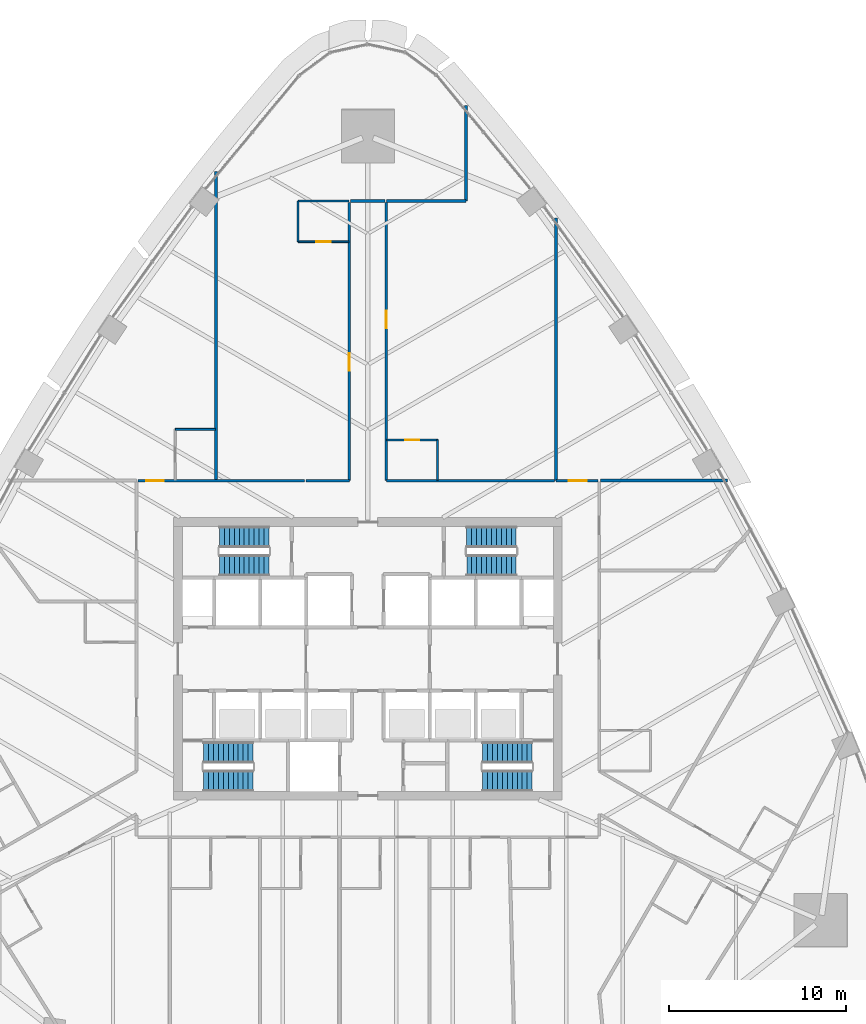
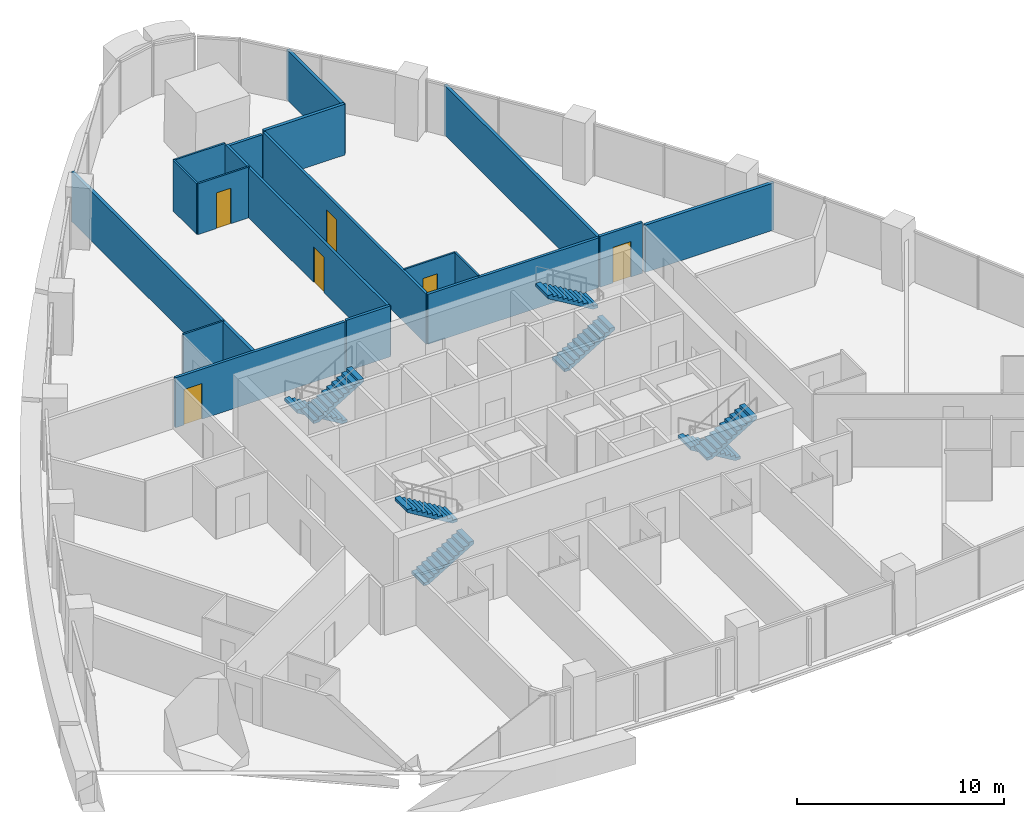
# One storey, part 13 of 17: 18 walls, 8 stair flights, 6 doors, 6 openings, 4 elements without a shape of their own.
"""IFC4 building model written with IfcOpenShell, lengths in metres."""

from ifc_helpers import new_model, si_unit, direction, frame, frame_2d, origin, place, context, subcontext, project, spatial, polyline, rectangle, outline, extrude, material, layer, layer_set, type_object, element, fill, aggregate, save


model = new_model("IFC4")

# Units and contexts
model_context = context("Model", 3, precision=1e-05, world=origin(), true_north=direction((0.0, 1.0)))
body_context = subcontext(model_context, "Body", "Model", "MODEL_VIEW")
ifc_project = project(units=[si_unit("LENGTHUNIT", "METRE"), si_unit("AREAUNIT", "SQUARE_METRE"), si_unit("VOLUMEUNIT", "CUBIC_METRE"), si_unit("PLANEANGLEUNIT", "RADIAN"), si_unit("MASSUNIT", "GRAM", prefix="KILO")], contexts=[model_context])

# Site, building, storey
site_placement = place(None, origin())
site = spatial("IfcSite", under=ifc_project, at=site_placement, CompositionType="ELEMENT")
building_placement = place(site_placement, origin())
building = spatial("IfcBuilding", under=site, at=building_placement, Name="Sierra Prisma Convention Tower", CompositionType="ELEMENT")
storey_placement = place(building_placement, frame((0.0, 0.0, 99.800048828125)))
storey = spatial("IfcBuildingStorey", under=building, at=storey_placement, Name="L21", CompositionType="ELEMENT", Elevation=99.800048828125)

# Wall
ifc_material_1 = material(Name="Gypsum board partition", Category="gypsum")
ifc_layer_1 = layer(ifc_material_1, 0.10009765625)
ifc_layer_set_1 = layer_set([ifc_layer_1], Name="Bathroom partition 100")
wall_type_1 = type_object("IfcWallType", Name="Bathroom partition 100", PredefinedType="PARTITIONING", material=ifc_layer_set_1)
wall_1_placement = place(storey_placement, frame((-10.89990234375, 13.0, 0.0), z_axis=(0.0, 0.0, 1.0), x_axis=(1.0, 0.0, 0.0)))
element("IfcWall", 1, at=wall_1_placement, inside=storey, type_object=wall_type_1, Name="Partition L21 bath 10", PredefinedType="PARTITIONING", context=body_context, shape_type="SweptSolid", body=[
    extrude(rectangle(XDim=2.27001953125, YDim=0.10009765625, at=frame_2d((1.135009765625, 0.0))), origin(), (0.0, 0.0, 1.0), 3.0),
])

# Wall, opening, door
wall_2_placement = place(storey_placement, frame((-1.080078125, 23.62890625, 0.0), z_axis=(0.0, 0.0, 1.0), x_axis=(-1.0, 0.0, 0.0)))
wall_2 = element("IfcWall", 2, at=wall_2_placement, inside=storey, type_object=wall_type_1, Name="Partition L21 bath 15", PredefinedType="PARTITIONING", context=body_context, shape_type="SweptSolid", body=[
    extrude(rectangle(XDim=2.869873046875, YDim=0.10009765625, at=frame_2d((1.43505859375, 0.0))), origin(), (0.0, 0.0, 1.0), 3.0),
])
opening_1_placement = place(wall_2_placement, frame((1.034912109375, 0.0, 0.0)))
opening_1 = element("IfcOpeningElement", 3, at=opening_1_placement, cuts=wall_2, Name="Opening L21-D002", PredefinedType="OPENING", context=body_context, shape_type="SweptSolid", body=[
    extrude(rectangle(XDim=0.800048828125, YDim=2.10009765625, at=frame_2d((0.39990234375, 1.050048828125))), frame((0.0, 0.050048828125, 0.0), z_axis=(0.0, -1.0, 0.0), x_axis=(1.0, 0.0, 0.0)), (0.0, 0.0, 1.0), 0.10009765625),
])
ifc_material_2 = material(Name="Solid core timber door leaf", Category="wood")
door_type_1 = type_object("IfcDoorType", Name="Door 800x2100 plain", OperationType="SINGLE_SWING_LEFT", PredefinedType="DOOR", material=ifc_material_2)
door_1_placement = place(opening_1_placement, origin())
door_1 = element("IfcDoor", 4, at=door_1_placement, inside=storey, type_object=door_type_1, Name="Door L21 6", OperationType="SINGLE_SWING_RIGHT", OverallHeight=2.10009765625, OverallWidth=0.800048828125, PredefinedType="DOOR", context=body_context, shape_type="SweptSolid", body=[
    extrude(rectangle(XDim=0.800048828125, YDim=2.10009765625, at=frame_2d((0.39990234375, 1.050048828125))), frame((0.0, 0.02490234375, 0.0), z_axis=(0.0, -1.0, 0.0), x_axis=(1.0, 0.0, 0.0)), (0.0, 0.0, 1.0), 0.050048828125),
])
fill(opening_1, door_1)

# Walls
wall_3_placement = place(storey_placement, frame((-3.949951171875, 23.62890625, 0.0), z_axis=(0.0, 0.0, 1.0), x_axis=(0.0, 1.0, 0.0)))
element("IfcWall", 5, at=wall_3_placement, inside=storey, type_object=wall_type_1, Name="Partition L21 bath 16", PredefinedType="PARTITIONING", context=body_context, shape_type="SweptSolid", body=[
    extrude(rectangle(XDim=2.2998046875, YDim=0.10009765625, at=frame_2d((1.14990234375, 0.0))), origin(), (0.0, 0.0, 1.0), 3.0),
])
wall_4_placement = place(storey_placement, frame((-3.949951171875, 25.9287109375, 0.0), z_axis=(0.0, 0.0, 1.0), x_axis=(1.0, 0.0, 0.0)))
element("IfcWall", 6, at=wall_4_placement, inside=storey, type_object=wall_type_1, Name="Partition L21 bath 17", PredefinedType="PARTITIONING", context=body_context, shape_type="SweptSolid", body=[
    extrude(rectangle(XDim=2.869873046875, YDim=0.10009765625, at=frame_2d((1.43505859375, 0.0))), origin(), (0.0, 0.0, 1.0), 3.0),
])

# Wall, opening, door
wall_5_placement = place(storey_placement, frame((1.080078125, 12.39990234375, 0.0), z_axis=(0.0, 0.0, 1.0), x_axis=(1.0, 0.0, 0.0)))
wall_5 = element("IfcWall", 7, at=wall_5_placement, inside=storey, type_object=wall_type_1, Name="Partition L21 bath 18", PredefinedType="PARTITIONING", context=body_context, shape_type="SweptSolid", body=[
    extrude(rectangle(XDim=2.869873046875, YDim=0.10009765625, at=frame_2d((1.43505859375, 0.0))), origin(), (0.0, 0.0, 1.0), 3.0),
])
opening_2_placement = place(wall_5_placement, frame((1.034912109375, 0.0, 0.0)))
opening_2 = element("IfcOpeningElement", 8, at=opening_2_placement, cuts=wall_5, Name="Opening L21-D001", PredefinedType="OPENING", context=body_context, shape_type="SweptSolid", body=[
    extrude(rectangle(XDim=0.800048828125, YDim=2.10009765625, at=frame_2d((0.39990234375, 1.050048828125))), frame((0.0, 0.050048828125, 0.0), z_axis=(0.0, -1.0, 0.0), x_axis=(1.0, 0.0, 0.0)), (0.0, 0.0, 1.0), 0.10009765625),
])
door_2_placement = place(opening_2_placement, origin())
door_2 = element("IfcDoor", 9, at=door_2_placement, inside=storey, type_object=door_type_1, Name="Door L21 4", OperationType="SINGLE_SWING_LEFT", OverallHeight=2.10009765625, OverallWidth=0.800048828125, PredefinedType="DOOR", context=body_context, shape_type="SweptSolid", body=[
    extrude(rectangle(XDim=0.800048828125, YDim=2.10009765625, at=frame_2d((0.39990234375, 1.050048828125))), frame((0.0, 0.02490234375, 0.0), z_axis=(0.0, -1.0, 0.0), x_axis=(1.0, 0.0, 0.0)), (0.0, 0.0, 1.0), 0.050048828125),
])
fill(opening_2, door_2)

# Wall
wall_6_placement = place(storey_placement, frame((3.949951171875, 12.39990234375, 0.0), z_axis=(0.0, 0.0, 1.0), x_axis=(0.0, -1.0, 0.0)))
element("IfcWall", 10, at=wall_6_placement, inside=storey, type_object=wall_type_1, Name="Partition L21 bath 19", PredefinedType="PARTITIONING", context=body_context, shape_type="SweptSolid", body=[
    extrude(rectangle(XDim=2.27001953125, YDim=0.10009765625, at=frame_2d((1.135009765625, 0.0))), origin(), (0.0, 0.0, 1.0), 3.0),
])

# Wall, opening, door
ifc_material_3 = material(Name="Gypsum board partition", Category="gypsum")
ifc_layer_2 = layer(ifc_material_3, 0.14990234375)
ifc_layer_set_2 = layer_set([ifc_layer_2], Name="Corridor wall 150 gypsum EI 60")
wall_type_2 = type_object("IfcWallType", Name="Corridor wall 150 gypsum EI 60", PredefinedType="PARTITIONING", material=ifc_layer_set_2)
wall_7_placement = place(storey_placement, frame((-3.580078125, 10.10009765625, 0.0), z_axis=(0.0, 0.0, 1.0), x_axis=(-1.0, 0.0, 0.0)))
wall_7 = element("IfcWall", 11, at=wall_7_placement, inside=storey, type_object=wall_type_2, Name="Partition L21 corr 7", PredefinedType="PARTITIONING", context=body_context, shape_type="SweptSolid", body=[
    extrude(rectangle(XDim=9.43994140625, YDim=0.14990234375, at=frame_2d((4.719970703125, 0.0))), origin(), (0.0, 0.0, 1.0), 2.947021484375),
])
opening_3_placement = place(wall_7_placement, frame((7.97998046875, 0.0, 0.0)))
opening_3 = element("IfcOpeningElement", 12, at=opening_3_placement, cuts=wall_7, Name="Opening L21-D042", PredefinedType="OPENING", context=body_context, shape_type="SweptSolid", body=[
    extrude(rectangle(XDim=1.0, YDim=2.10009765625, at=frame_2d((0.5, 1.050048828125))), frame((0.0, 0.074951171875, 0.0), z_axis=(0.0, -1.0, 0.0), x_axis=(1.0, 0.0, 0.0)), (0.0, 0.0, 1.0), 0.14990234375),
])
ifc_material_4 = material(Name="Steel fire door leaf", Category="steel")
door_type_2 = type_object("IfcDoorType", Name="Door 1000x2100 FD30S", OperationType="SINGLE_SWING_LEFT", PredefinedType="DOOR", material=ifc_material_4)
door_3_placement = place(opening_3_placement, origin())
door_3 = element("IfcDoor", 13, at=door_3_placement, inside=storey, type_object=door_type_2, Name="Door L21 7", OperationType="SINGLE_SWING_RIGHT", OverallHeight=2.10009765625, OverallWidth=1.0, PredefinedType="DOOR", context=body_context, shape_type="SweptSolid", body=[
    extrude(rectangle(XDim=1.0, YDim=2.10009765625, at=frame_2d((0.5, 1.050048828125))), frame((0.0, 0.02490234375, 0.0), z_axis=(0.0, -1.0, 0.0), x_axis=(1.0, 0.0, 0.0)), (0.0, 0.0, 1.0), 0.050048828125),
])
fill(opening_3, door_3)

wall_8_placement = place(storey_placement, frame((-1.050048828125, 25.848876953125, 0.0), z_axis=(0.0, 0.0, 1.0), x_axis=(0.0, -1.0, 0.0)))
wall_8 = element("IfcWall", 14, at=wall_8_placement, inside=storey, type_object=wall_type_2, Name="Partition L21 corr 8", PredefinedType="PARTITIONING", context=body_context, shape_type="SweptSolid", body=[
    extrude(rectangle(XDim=15.748779296875, YDim=0.14990234375, at=frame_2d((7.87451171875, 0.0))), origin(), (0.0, 0.0, 1.0), 2.947021484375),
])
opening_4_placement = place(wall_8_placement, frame((8.534423828125, 0.0, 0.0)))
opening_4 = element("IfcOpeningElement", 15, at=opening_4_placement, cuts=wall_8, Name="Opening L21-D041", PredefinedType="OPENING", context=body_context, shape_type="SweptSolid", body=[
    extrude(rectangle(XDim=1.0, YDim=2.10009765625, at=frame_2d((0.5, 1.050048828125))), frame((0.0, 0.074951171875, 0.0), z_axis=(0.0, -1.0, 0.0), x_axis=(1.0, 0.0, 0.0)), (0.0, 0.0, 1.0), 0.14990234375),
])
door_4_placement = place(opening_4_placement, origin())
door_4 = element("IfcDoor", 16, at=door_4_placement, inside=storey, type_object=door_type_2, Name="Door L21 5", OperationType="SINGLE_SWING_RIGHT", OverallHeight=2.10009765625, OverallWidth=1.0, PredefinedType="DOOR", context=body_context, shape_type="SweptSolid", body=[
    extrude(rectangle(XDim=1.0, YDim=2.10009765625, at=frame_2d((0.5, 1.050048828125))), frame((0.0, 0.02490234375, 0.0), z_axis=(0.0, -1.0, 0.0), x_axis=(1.0, 0.0, 0.0)), (0.0, 0.0, 1.0), 0.050048828125),
])
fill(opening_4, door_4)

# Walls
wall_9_placement = place(storey_placement, frame((-1.050048828125, 10.10009765625, 0.0), z_axis=(0.0, 0.0, 1.0), x_axis=(-1.0, 0.0, 0.0)))
element("IfcWall", 17, at=wall_9_placement, inside=storey, type_object=wall_type_2, Name="Partition L21 corr 9", PredefinedType="PARTITIONING", context=body_context, shape_type="SweptSolid", body=[
    extrude(rectangle(XDim=2.449951171875, YDim=0.14990234375, at=frame_2d((1.22509765625, 0.0))), origin(), (0.0, 0.0, 1.0), 3.0),
])
wall_10_placement = place(storey_placement, frame((0.969970703125, 25.9287109375, 0.0), z_axis=(0.0, 0.0, 1.0), x_axis=(-1.0, 0.0, 0.0)))
element("IfcWall", 18, at=wall_10_placement, inside=storey, type_object=wall_type_2, Name="Partition L21 corr 10", PredefinedType="PARTITIONING", context=body_context, shape_type="SweptSolid", body=[
    extrude(rectangle(XDim=1.93994140625, YDim=0.14990234375, at=frame_2d((0.969970703125, 0.0))), origin(), (0.0, 0.0, 1.0), 2.796875),
])
wall_11_placement = place(storey_placement, frame((10.570068359375, 10.10009765625, 0.0), z_axis=(0.0, 0.0, 1.0), x_axis=(-1.0, 0.0, 0.0)))
element("IfcWall", 19, at=wall_11_placement, inside=storey, type_object=wall_type_2, Name="Partition L21 corr 11", PredefinedType="PARTITIONING", context=body_context, shape_type="SweptSolid", body=[
    extrude(rectangle(XDim=9.52001953125, YDim=0.14990234375, at=frame_2d((4.760009765625, 0.0))), origin(), (0.0, 0.0, 1.0), 2.947021484375),
])

# Wall, opening, door
wall_12_placement = place(storey_placement, frame((1.050048828125, 10.10009765625, 0.0), z_axis=(0.0, 0.0, 1.0), x_axis=(0.0, 1.0, 0.0)))
wall_12 = element("IfcWall", 20, at=wall_12_placement, inside=storey, type_object=wall_type_2, Name="Partition L21 corr 12", PredefinedType="PARTITIONING", context=body_context, shape_type="SweptSolid", body=[
    extrude(rectangle(XDim=15.748779296875, YDim=0.14990234375, at=frame_2d((7.87451171875, 0.0))), origin(), (0.0, 0.0, 1.0), 2.947021484375),
])
opening_5_placement = place(wall_12_placement, frame((8.614501953125, 0.0, 0.0)))
opening_5 = element("IfcOpeningElement", 21, at=opening_5_placement, cuts=wall_12, Name="Opening L21-D040", PredefinedType="OPENING", context=body_context, shape_type="SweptSolid", body=[
    extrude(rectangle(XDim=1.0, YDim=2.10009765625, at=frame_2d((0.5, 1.050048828125))), frame((0.0, 0.074951171875, 0.0), z_axis=(0.0, -1.0, 0.0), x_axis=(1.0, 0.0, 0.0)), (0.0, 0.0, 1.0), 0.14990234375),
])
door_5_placement = place(opening_5_placement, origin())
door_5 = element("IfcDoor", 22, at=door_5_placement, inside=storey, type_object=door_type_2, Name="Door L21 3", OperationType="SINGLE_SWING_LEFT", OverallHeight=2.10009765625, OverallWidth=1.0, PredefinedType="DOOR", context=body_context, shape_type="SweptSolid", body=[
    extrude(rectangle(XDim=1.0, YDim=2.10009765625, at=frame_2d((0.5, 1.050048828125))), frame((0.0, 0.02490234375, 0.0), z_axis=(0.0, -1.0, 0.0), x_axis=(1.0, 0.0, 0.0)), (0.0, 0.0, 1.0), 0.050048828125),
])
fill(opening_5, door_5)

wall_13_placement = place(storey_placement, frame((13.02001953125, 10.10009765625, 0.0), z_axis=(0.0, 0.0, 1.0), x_axis=(-1.0, 0.0, 0.0)))
wall_13 = element("IfcWall", 23, at=wall_13_placement, inside=storey, type_object=wall_type_2, Name="Partition L21 corr 13", PredefinedType="PARTITIONING", context=body_context, shape_type="SweptSolid", body=[
    extrude(rectangle(XDim=2.3701171875, YDim=0.14990234375, at=frame_2d((1.18505859375, 0.0))), origin(), (0.0, 0.0, 1.0), 3.0),
])
opening_6_placement = place(wall_13_placement, frame((0.635009765625, 0.0, 0.0)))
opening_6 = element("IfcOpeningElement", 24, at=opening_6_placement, cuts=wall_13, Name="Opening L21-D039", PredefinedType="OPENING", context=body_context, shape_type="SweptSolid", body=[
    extrude(rectangle(XDim=1.0, YDim=2.10009765625, at=frame_2d((0.5, 1.050048828125))), frame((0.0, 0.074951171875, 0.0), z_axis=(0.0, -1.0, 0.0), x_axis=(1.0, 0.0, 0.0)), (0.0, 0.0, 1.0), 0.14990234375),
])
door_6_placement = place(opening_6_placement, origin())
door_6 = element("IfcDoor", 25, at=door_6_placement, inside=storey, type_object=door_type_2, Name="Door L21 2", OperationType="SINGLE_SWING_LEFT", OverallHeight=2.10009765625, OverallWidth=1.0, PredefinedType="DOOR", context=body_context, shape_type="SweptSolid", body=[
    extrude(rectangle(XDim=1.0, YDim=2.10009765625, at=frame_2d((0.5, 1.050048828125))), frame((0.0, 0.02490234375, 0.0), z_axis=(0.0, -1.0, 0.0), x_axis=(1.0, 0.0, 0.0)), (0.0, 0.0, 1.0), 0.050048828125),
])
fill(opening_6, door_6)

# Walls
ifc_material_5 = material(Name="Acoustic gypsum board partition", Category="gypsum")
ifc_layer_3 = layer(ifc_material_5, 0.175048828125)
ifc_layer_set_3 = layer_set([ifc_layer_3], Name="Guest room party wall 175 acoustic EI 60")
wall_type_3 = type_object("IfcWallType", Name="Guest room party wall 175 acoustic EI 60", PredefinedType="PARTITIONING", material=ifc_layer_set_3)
wall_14_placement = place(storey_placement, frame((-8.60009765625, 10.10009765625, 0.0), z_axis=(0.0, 0.0, 1.0), x_axis=(0.0, 1.0, 0.0)))
element("IfcWall", 26, at=wall_14_placement, inside=storey, type_object=wall_type_3, Name="Partition L21 hparty 9", PredefinedType="PARTITIONING", context=body_context, shape_type="SweptSolid", body=[
    extrude(rectangle(XDim=17.512939453125, YDim=0.175048828125, at=frame_2d((8.75634765625, 0.0))), origin(), (0.0, 0.0, 1.0), 2.933837890625),
])
wall_15_placement = place(storey_placement, frame((1.050048828125, 25.9287109375, 0.0), z_axis=(0.0, 0.0, 1.0), x_axis=(1.0, 0.0, 0.0)))
element("IfcWall", 27, at=wall_15_placement, inside=storey, type_object=wall_type_3, Name="Partition L21 hparty 12", PredefinedType="PARTITIONING", context=body_context, shape_type="SweptSolid", body=[
    extrude(rectangle(XDim=4.5, YDim=0.175048828125, at=frame_2d((2.25, 0.0))), origin(), (0.0, 0.0, 1.0), 3.0),
])
wall_16_placement = place(storey_placement, frame((5.550048828125, 25.9287109375, 0.0), z_axis=(0.0, 0.0, 1.0), x_axis=(0.0, 1.0, 0.0)))
element("IfcWall", 28, at=wall_16_placement, inside=storey, type_object=wall_type_3, Name="Partition L21 hparty 13", PredefinedType="PARTITIONING", context=body_context, shape_type="SweptSolid", body=[
    extrude(rectangle(XDim=5.39892578125, YDim=0.175048828125, at=frame_2d((2.699462890625, 0.0))), origin(), (0.0, 0.0, 1.0), 2.933837890625),
])
wall_17_placement = place(storey_placement, frame((10.64990234375, 24.957763671875, 0.0), z_axis=(0.0, 0.0, 1.0), x_axis=(0.0, -1.0, 0.0)))
element("IfcWall", 29, at=wall_17_placement, inside=storey, type_object=wall_type_3, Name="Partition L21 hparty 16", PredefinedType="PARTITIONING", context=body_context, shape_type="SweptSolid", body=[
    extrude(rectangle(XDim=14.857666015625, YDim=0.175048828125, at=frame_2d((7.4287109375, 0.0))), origin(), (0.0, 0.0, 1.0), 2.933837890625),
])
wall_18_placement = place(storey_placement, frame((13.179931640625, 10.10009765625, 0.0), z_axis=(0.0, 0.0, 1.0), x_axis=(1.0, 0.0, 0.0)))
element("IfcWall", 30, at=wall_18_placement, inside=storey, type_object=wall_type_3, Name="Partition L21 hparty 21", PredefinedType="PARTITIONING", context=body_context, shape_type="SweptSolid", body=[
    extrude(rectangle(XDim=7.18212890625, YDim=0.175048828125, at=frame_2d((3.591064453125, 0.0))), origin(), (0.0, 0.0, 1.0), 2.783935546875),
])

# Stair, stair flights
ifc_material_6 = material(Name="Concrete C30/37", Category="concrete")
stair_type = type_object("IfcStairType", Name="Stair dog-leg 1200 RC", PredefinedType="HALF_TURN_STAIR", material=ifc_material_6)
stair_1_placement = place(storey_placement, origin())
stair_1 = element("IfcStair", 31, at=stair_1_placement, inside=storey, type_object=stair_type, Name="L21 S1", PredefinedType="HALF_TURN_STAIR")
ifc_material_7 = material(Name="Concrete C30/37", Category="concrete")
stair_flight_type = type_object("IfcStairFlightType", Name="Stair flight RC 1200", PredefinedType="STRAIGHT", material=ifc_material_7)
stair_flight_1_placement = place(storey_placement, frame((-9.300048828125, -6.89990234375, 0.0), z_axis=(0.0, 0.0, 1.0), x_axis=(1.0, 0.0, 0.0)))
stair_flight_1 = element("IfcStairFlight", 32, at=stair_flight_1_placement, type_object=stair_flight_type, Name="S1 flight 1", NumberOfRisers=11, NumberOfTreads=10, PredefinedType="STRAIGHT", RiserHeight=0.168181818, TreadLength=0.28, context=body_context, shape_type="SweptSolid", body=[
    extrude(outline(polyline([(0.0, 0.0), (0.0, 0.168212890625), (0.280029296875, 0.168212890625), (0.280029296875, 0.33642578125), (0.56005859375, 0.33642578125), (0.56005859375, 0.504638671875), (0.840087890625, 0.504638671875), (0.840087890625, 0.672607421875), (1.1201171875, 0.672607421875), (1.1201171875, 0.8408203125), (1.39990234375, 0.8408203125), (1.39990234375, 1.009033203125), (1.679931640625, 1.009033203125), (1.679931640625, 1.17724609375), (1.9599609375, 1.17724609375), (1.9599609375, 1.345458984375), (2.239990234375, 1.345458984375), (2.239990234375, 1.513671875), (2.52001953125, 1.513671875), (2.52001953125, 1.681884765625), (2.800048828125, 1.681884765625), (2.800048828125, 1.85009765625), (2.800048828125, 1.5068359375), (0.291015625, 0.0), (0.0, 0.0)])), frame((0.0, 0.60009765625, 0.0), z_axis=(0.0, -1.0, 0.0), x_axis=(1.0, 0.0, 0.0)), (0.0, 0.0, 1.0), 1.199951171875),
])
stair_flight_2_placement = place(storey_placement, frame((-6.5, -5.300048828125, 1.849853515625), z_axis=(0.0, 0.0, 1.0), x_axis=(-1.0, 0.0, 0.0)))
stair_flight_2 = element("IfcStairFlight", 33, at=stair_flight_2_placement, type_object=stair_flight_type, Name="S1 flight 2", NumberOfRisers=11, NumberOfTreads=10, PredefinedType="STRAIGHT", RiserHeight=0.168181818, TreadLength=0.28, context=body_context, shape_type="SweptSolid", body=[
    extrude(outline(polyline([(0.0, 0.0), (0.0, 0.168212890625), (0.280029296875, 0.168212890625), (0.280029296875, 0.33642578125), (0.56005859375, 0.33642578125), (0.56005859375, 0.504638671875), (0.840087890625, 0.504638671875), (0.840087890625, 0.672607421875), (1.1201171875, 0.672607421875), (1.1201171875, 0.8408203125), (1.39990234375, 0.8408203125), (1.39990234375, 1.009033203125), (1.679931640625, 1.009033203125), (1.679931640625, 1.17724609375), (1.9599609375, 1.17724609375), (1.9599609375, 1.345458984375), (2.239990234375, 1.345458984375), (2.239990234375, 1.513671875), (2.52001953125, 1.513671875), (2.52001953125, 1.681884765625), (2.800048828125, 1.681884765625), (2.800048828125, 1.85009765625), (2.800048828125, 1.5068359375), (0.291015625, 0.0), (0.0, 0.0)])), frame((0.0, 0.60009765625, 0.0), z_axis=(0.0, -1.0, 0.0), x_axis=(1.0, 0.0, 0.0)), (0.0, 0.0, 1.0), 1.199951171875),
])
aggregate(stair_1, [stair_flight_1, stair_flight_2])

stair_2_placement = place(storey_placement, origin())
stair_2 = element("IfcStair", 34, at=stair_2_placement, inside=storey, type_object=stair_type, Name="L21 S2", PredefinedType="HALF_TURN_STAIR")
stair_flight_3_placement = place(storey_placement, frame((9.300048828125, -5.300048828125, 0.0), z_axis=(0.0, 0.0, 1.0), x_axis=(-1.0, 0.0, 0.0)))
stair_flight_3 = element("IfcStairFlight", 35, at=stair_flight_3_placement, type_object=stair_flight_type, Name="S2 flight 1", NumberOfRisers=11, NumberOfTreads=10, PredefinedType="STRAIGHT", RiserHeight=0.168181818, TreadLength=0.28, context=body_context, shape_type="SweptSolid", body=[
    extrude(outline(polyline([(0.0, 0.0), (0.0, 0.168212890625), (0.280029296875, 0.168212890625), (0.280029296875, 0.33642578125), (0.56005859375, 0.33642578125), (0.56005859375, 0.504638671875), (0.840087890625, 0.504638671875), (0.840087890625, 0.672607421875), (1.1201171875, 0.672607421875), (1.1201171875, 0.8408203125), (1.39990234375, 0.8408203125), (1.39990234375, 1.009033203125), (1.679931640625, 1.009033203125), (1.679931640625, 1.17724609375), (1.9599609375, 1.17724609375), (1.9599609375, 1.345458984375), (2.239990234375, 1.345458984375), (2.239990234375, 1.513671875), (2.52001953125, 1.513671875), (2.52001953125, 1.681884765625), (2.800048828125, 1.681884765625), (2.800048828125, 1.85009765625), (2.800048828125, 1.5068359375), (0.291015625, 0.0), (0.0, 0.0)])), frame((0.0, 0.60009765625, 0.0), z_axis=(0.0, -1.0, 0.0), x_axis=(1.0, 0.0, 0.0)), (0.0, 0.0, 1.0), 1.199951171875),
])
stair_flight_4_placement = place(storey_placement, frame((6.5, -6.89990234375, 1.849853515625), z_axis=(0.0, 0.0, 1.0), x_axis=(1.0, 0.0, 0.0)))
stair_flight_4 = element("IfcStairFlight", 36, at=stair_flight_4_placement, type_object=stair_flight_type, Name="S2 flight 2", NumberOfRisers=11, NumberOfTreads=10, PredefinedType="STRAIGHT", RiserHeight=0.168181818, TreadLength=0.28, context=body_context, shape_type="SweptSolid", body=[
    extrude(outline(polyline([(0.0, 0.0), (0.0, 0.168212890625), (0.280029296875, 0.168212890625), (0.280029296875, 0.33642578125), (0.56005859375, 0.33642578125), (0.56005859375, 0.504638671875), (0.840087890625, 0.504638671875), (0.840087890625, 0.672607421875), (1.1201171875, 0.672607421875), (1.1201171875, 0.8408203125), (1.39990234375, 0.8408203125), (1.39990234375, 1.009033203125), (1.679931640625, 1.009033203125), (1.679931640625, 1.17724609375), (1.9599609375, 1.17724609375), (1.9599609375, 1.345458984375), (2.239990234375, 1.345458984375), (2.239990234375, 1.513671875), (2.52001953125, 1.513671875), (2.52001953125, 1.681884765625), (2.800048828125, 1.681884765625), (2.800048828125, 1.85009765625), (2.800048828125, 1.5068359375), (0.291015625, 0.0), (0.0, 0.0)])), frame((0.0, 0.60009765625, 0.0), z_axis=(0.0, -1.0, 0.0), x_axis=(1.0, 0.0, 0.0)), (0.0, 0.0, 1.0), 1.199951171875),
])
aggregate(stair_2, [stair_flight_3, stair_flight_4])

stair_3_placement = place(storey_placement, origin())
stair_3 = element("IfcStair", 37, at=stair_3_placement, inside=storey, type_object=stair_type, Name="L21 S3", PredefinedType="HALF_TURN_STAIR")
stair_flight_5_placement = place(storey_placement, frame((-5.60009765625, 6.89990234375, 0.0), z_axis=(0.0, 0.0, 1.0), x_axis=(-1.0, 0.0, 0.0)))
stair_flight_5 = element("IfcStairFlight", 38, at=stair_flight_5_placement, type_object=stair_flight_type, Name="S3 flight 1", NumberOfRisers=11, NumberOfTreads=10, PredefinedType="STRAIGHT", RiserHeight=0.168181818, TreadLength=0.28, context=body_context, shape_type="SweptSolid", body=[
    extrude(outline(polyline([(0.0, 0.0), (0.0, 0.168212890625), (0.280029296875, 0.168212890625), (0.280029296875, 0.33642578125), (0.56005859375, 0.33642578125), (0.56005859375, 0.504638671875), (0.840087890625, 0.504638671875), (0.840087890625, 0.672607421875), (1.1201171875, 0.672607421875), (1.1201171875, 0.8408203125), (1.39990234375, 0.8408203125), (1.39990234375, 1.009033203125), (1.679931640625, 1.009033203125), (1.679931640625, 1.17724609375), (1.9599609375, 1.17724609375), (1.9599609375, 1.345458984375), (2.239990234375, 1.345458984375), (2.239990234375, 1.513671875), (2.52001953125, 1.513671875), (2.52001953125, 1.681884765625), (2.800048828125, 1.681884765625), (2.800048828125, 1.85009765625), (2.800048828125, 1.5068359375), (0.291015625, 0.0), (0.0, 0.0)])), frame((0.0, 0.60009765625, 0.0), z_axis=(0.0, -1.0, 0.0), x_axis=(1.0, 0.0, 0.0)), (0.0, 0.0, 1.0), 1.199951171875),
])
stair_flight_6_placement = place(storey_placement, frame((-8.39990234375, 5.300048828125, 1.849853515625), z_axis=(0.0, 0.0, 1.0), x_axis=(1.0, 0.0, 0.0)))
stair_flight_6 = element("IfcStairFlight", 39, at=stair_flight_6_placement, type_object=stair_flight_type, Name="S3 flight 2", NumberOfRisers=11, NumberOfTreads=10, PredefinedType="STRAIGHT", RiserHeight=0.168181818, TreadLength=0.28, context=body_context, shape_type="SweptSolid", body=[
    extrude(outline(polyline([(0.0, 0.0), (0.0, 0.168212890625), (0.280029296875, 0.168212890625), (0.280029296875, 0.33642578125), (0.56005859375, 0.33642578125), (0.56005859375, 0.504638671875), (0.840087890625, 0.504638671875), (0.840087890625, 0.672607421875), (1.1201171875, 0.672607421875), (1.1201171875, 0.8408203125), (1.39990234375, 0.8408203125), (1.39990234375, 1.009033203125), (1.679931640625, 1.009033203125), (1.679931640625, 1.17724609375), (1.9599609375, 1.17724609375), (1.9599609375, 1.345458984375), (2.239990234375, 1.345458984375), (2.239990234375, 1.513671875), (2.52001953125, 1.513671875), (2.52001953125, 1.681884765625), (2.800048828125, 1.681884765625), (2.800048828125, 1.85009765625), (2.800048828125, 1.5068359375), (0.291015625, 0.0), (0.0, 0.0)])), frame((0.0, 0.60009765625, 0.0), z_axis=(0.0, -1.0, 0.0), x_axis=(1.0, 0.0, 0.0)), (0.0, 0.0, 1.0), 1.199951171875),
])
aggregate(stair_3, [stair_flight_5, stair_flight_6])

stair_4_placement = place(storey_placement, origin())
stair_4 = element("IfcStair", 40, at=stair_4_placement, inside=storey, type_object=stair_type, Name="L21 S4", PredefinedType="HALF_TURN_STAIR")
stair_flight_7_placement = place(storey_placement, frame((5.60009765625, 5.300048828125, 0.0), z_axis=(0.0, 0.0, 1.0), x_axis=(1.0, 0.0, 0.0)))
stair_flight_7 = element("IfcStairFlight", 41, at=stair_flight_7_placement, type_object=stair_flight_type, Name="S4 flight 1", NumberOfRisers=11, NumberOfTreads=10, PredefinedType="STRAIGHT", RiserHeight=0.168181818, TreadLength=0.28, context=body_context, shape_type="SweptSolid", body=[
    extrude(outline(polyline([(0.0, 0.0), (0.0, 0.168212890625), (0.280029296875, 0.168212890625), (0.280029296875, 0.33642578125), (0.56005859375, 0.33642578125), (0.56005859375, 0.504638671875), (0.840087890625, 0.504638671875), (0.840087890625, 0.672607421875), (1.1201171875, 0.672607421875), (1.1201171875, 0.8408203125), (1.39990234375, 0.8408203125), (1.39990234375, 1.009033203125), (1.679931640625, 1.009033203125), (1.679931640625, 1.17724609375), (1.9599609375, 1.17724609375), (1.9599609375, 1.345458984375), (2.239990234375, 1.345458984375), (2.239990234375, 1.513671875), (2.52001953125, 1.513671875), (2.52001953125, 1.681884765625), (2.800048828125, 1.681884765625), (2.800048828125, 1.85009765625), (2.800048828125, 1.5068359375), (0.291015625, 0.0), (0.0, 0.0)])), frame((0.0, 0.60009765625, 0.0), z_axis=(0.0, -1.0, 0.0), x_axis=(1.0, 0.0, 0.0)), (0.0, 0.0, 1.0), 1.199951171875),
])
stair_flight_8_placement = place(storey_placement, frame((8.39990234375, 6.89990234375, 1.849853515625), z_axis=(0.0, 0.0, 1.0), x_axis=(-1.0, 0.0, 0.0)))
stair_flight_8 = element("IfcStairFlight", 42, at=stair_flight_8_placement, type_object=stair_flight_type, Name="S4 flight 2", NumberOfRisers=11, NumberOfTreads=10, PredefinedType="STRAIGHT", RiserHeight=0.168181818, TreadLength=0.28, context=body_context, shape_type="SweptSolid", body=[
    extrude(outline(polyline([(0.0, 0.0), (0.0, 0.168212890625), (0.280029296875, 0.168212890625), (0.280029296875, 0.33642578125), (0.56005859375, 0.33642578125), (0.56005859375, 0.504638671875), (0.840087890625, 0.504638671875), (0.840087890625, 0.672607421875), (1.1201171875, 0.672607421875), (1.1201171875, 0.8408203125), (1.39990234375, 0.8408203125), (1.39990234375, 1.009033203125), (1.679931640625, 1.009033203125), (1.679931640625, 1.17724609375), (1.9599609375, 1.17724609375), (1.9599609375, 1.345458984375), (2.239990234375, 1.345458984375), (2.239990234375, 1.513671875), (2.52001953125, 1.513671875), (2.52001953125, 1.681884765625), (2.800048828125, 1.681884765625), (2.800048828125, 1.85009765625), (2.800048828125, 1.5068359375), (0.291015625, 0.0), (0.0, 0.0)])), frame((0.0, 0.60009765625, 0.0), z_axis=(0.0, -1.0, 0.0), x_axis=(1.0, 0.0, 0.0)), (0.0, 0.0, 1.0), 1.199951171875),
])
aggregate(stair_4, [stair_flight_7, stair_flight_8])

save(model, "model.ifc")
